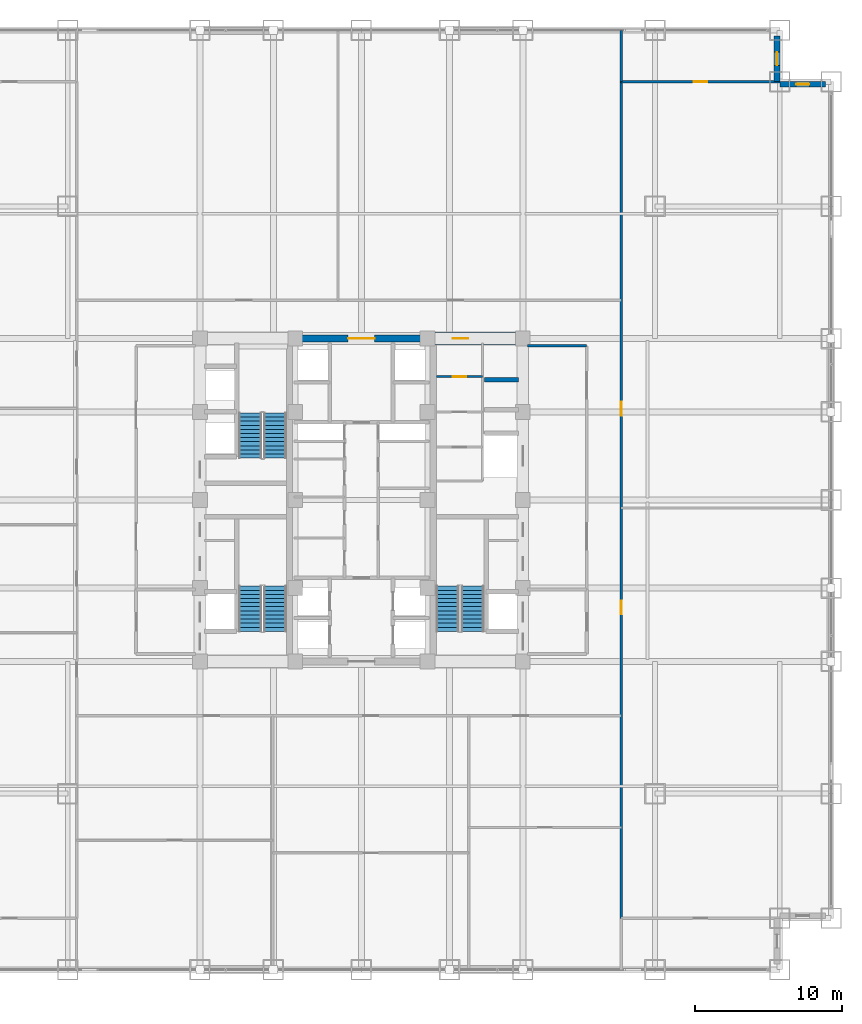
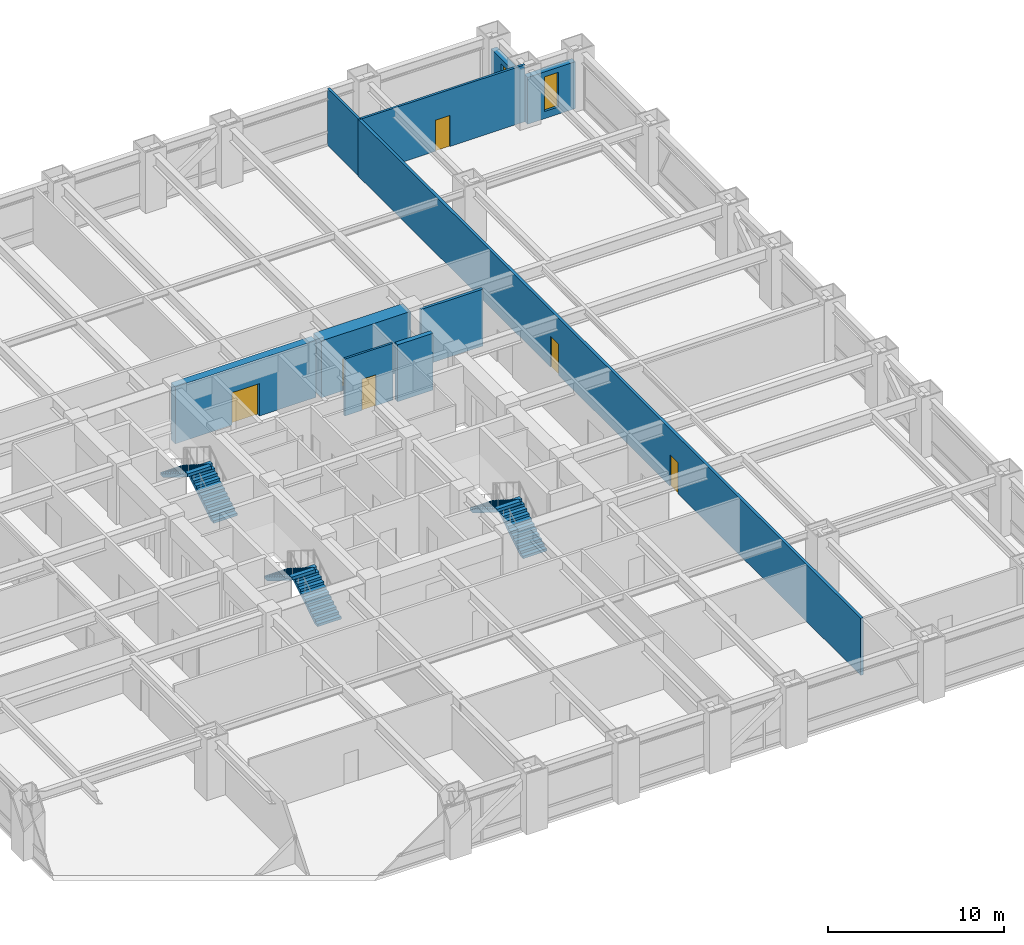
# One storey, part 27 of 28: 10 walls, 6 doors, 6 stair flights, 2 windows, 8 openings, 3 elements without a shape of their own.
"""IFC4 building model written with IfcOpenShell, lengths in metres."""

from ifc_helpers import new_model, si_unit, direction, frame, frame_2d, origin, place, context, subcontext, project, spatial, polyline, rectangle, outline, extrude, source, transform, mapped, material, layer, layer_set, type_object, element, fill, aggregate, save


model = new_model("IFC4")

# Units and contexts
model_context = context("Model", 3, precision=1e-05, world=origin(), true_north=direction((0.0, 1.0)))
body_context = subcontext(model_context, "Body", "Model", "MODEL_VIEW")
ifc_project = project(units=[si_unit("LENGTHUNIT", "METRE"), si_unit("AREAUNIT", "SQUARE_METRE"), si_unit("VOLUMEUNIT", "CUBIC_METRE"), si_unit("PLANEANGLEUNIT", "RADIAN"), si_unit("MASSUNIT", "GRAM", prefix="KILO")], contexts=[model_context])

# Site, building, storey
site_placement = place(None, origin())
site = spatial("IfcSite", under=ifc_project, at=site_placement, CompositionType="ELEMENT")
building_placement = place(site_placement, origin())
building = spatial("IfcBuilding", under=site, at=building_placement, Name="Khorayat Bourse Tower", CompositionType="ELEMENT")
storey_placement = place(building_placement, frame((0.0, 0.0, 62.0)))
storey = spatial("IfcBuildingStorey", under=building, at=storey_placement, Name="L13", CompositionType="ELEMENT", Elevation=62.0)

# Wall, opening, door
ifc_material_1 = material(Name="Concrete C72/90", Category="concrete")
ifc_layer_1 = layer(ifc_material_1, 0.89990234375)
ifc_layer_set_1 = layer_set([ifc_layer_1], Name="Concrete C72/90")
wall_type_1 = type_object("IfcWallType", Name="WAL-CORE-900", PredefinedType="SHEAR", material=ifc_layer_set_1)
shared_shape_1 = source(origin(), body_context, "Body", "SweptSolid", [
    extrude(rectangle(XDim=5.849853515625, YDim=0.89990234375, at=frame_2d((2.9248046875, 0.0))), origin(), (0.0, 0.0, 1.0), 3.93994140625),
])
wall_1_placement = place(storey_placement, frame((4.85009765625, 11.0, 0.0), z_axis=(0.0, 0.0, 1.0), x_axis=(1.0, 0.0, 0.0)))
wall_1 = element("IfcWall", 1, at=wall_1_placement, inside=storey, type_object=wall_type_1, Name="L13 Core Shear Wall PIER-EN", PredefinedType="SHEAR", context=body_context, shape_type="MappedRepresentation", body=[
    mapped(shared_shape_1, transform((0.0, 0.0, 0.0), scale=1.0)),
])
shared_shape_2 = source(origin(), body_context, "Body", "SweptSolid", [
    extrude(rectangle(XDim=1.050048828125, YDim=2.199951171875, at=frame_2d((0.52490234375, 1.10009765625))), frame((0.0, 0.4599609375, 0.0), z_axis=(0.0, -1.0, 0.0), x_axis=(1.0, 0.0, 0.0)), (0.0, 0.0, 1.0), 0.919921875),
])
opening_1_placement = place(wall_1_placement, frame((1.375, 0.0, 0.0)))
opening_1 = element("IfcOpeningElement", 2, at=opening_1_placement, cuts=wall_1, Name="Opening DI-04", PredefinedType="OPENING", context=body_context, shape_type="MappedRepresentation", body=[
    mapped(shared_shape_2, transform((0.0, 0.0, 0.0), scale=1.0)),
])
ifc_material_2 = material(Name="Fire-rated oak veneer suite entrance door")
door_type_1 = type_object("IfcDoorType", Name="DR-INT-SUITE-1050", OperationType="NOTDEFINED", PredefinedType="DOOR", material=ifc_material_2)
shared_shape_3 = source(origin(), body_context, "Body", "SweptSolid", [
    extrude(rectangle(XDim=1.050048828125, YDim=2.199951171875, at=frame_2d((0.52490234375, 1.10009765625))), frame((0.0, 0.02490234375, 0.0), z_axis=(0.0, -1.0, 0.0), x_axis=(1.0, 0.0, 0.0)), (0.0, 0.0, 1.0), 0.050048828125),
])
door_1_placement = place(opening_1_placement, origin())
door_1 = element("IfcDoor", 3, at=door_1_placement, inside=storey, type_object=door_type_1, Name="L13 Core Washroom Lobby Door", OperationType="SINGLE_SWING_LEFT", OverallHeight=2.199951171875, OverallWidth=1.050048828125, PredefinedType="DOOR", context=body_context, shape_type="MappedRepresentation", body=[
    mapped(shared_shape_3, transform((0.0, 0.0, 0.0), scale=1.0)),
])
fill(opening_1, door_1)

ifc_material_3 = material(Name="Concrete C52/65", Category="concrete")
ifc_layer_2 = layer(ifc_material_3, 0.5)
ifc_layer_set_2 = layer_set([ifc_layer_2], Name="Concrete C52/65")
wall_type_2 = type_object("IfcWallType", Name="WAL-CORE-500", PredefinedType="SHEAR", material=ifc_layer_set_2)
shared_shape_4 = source(origin(), body_context, "Body", "SweptSolid", [
    extrude(rectangle(XDim=9.2001953125, YDim=0.5, at=frame_2d((4.60009765625, 0.0))), origin(), (0.0, 0.0, 1.0), 3.93994140625),
])
wall_2_placement = place(storey_placement, frame((-4.60009765625, 11.0, 0.0), z_axis=(0.0, 0.0, 1.0), x_axis=(1.0, 0.0, 0.0)))
wall_2 = element("IfcWall", 4, at=wall_2_placement, inside=storey, type_object=wall_type_2, Name="L13 Core Shear Wall CORE-N", PredefinedType="SHEAR", context=body_context, shape_type="MappedRepresentation", body=[
    mapped(shared_shape_4, transform((0.0, 0.0, 0.0), scale=1.0)),
])
shared_shape_5 = source(origin(), body_context, "Body", "SweptSolid", [
    extrude(rectangle(XDim=1.800048828125, YDim=2.25, at=frame_2d((0.89990234375, 1.125))), frame((0.0, 0.260009765625, 0.0), z_axis=(0.0, -1.0, 0.0), x_axis=(1.0, 0.0, 0.0)), (0.0, 0.0, 1.0), 0.52001953125),
])
opening_2_placement = place(wall_2_placement, frame((3.699951171875, 0.0, 0.0)))
opening_2 = element("IfcOpeningElement", 5, at=opening_2_placement, cuts=wall_2, Name="Opening DI-03", PredefinedType="OPENING", context=body_context, shape_type="MappedRepresentation", body=[
    mapped(shared_shape_5, transform((0.0, 0.0, 0.0), scale=1.0)),
])
ifc_material_4 = material(Name="Fire-rated hardwood vision-panel double leaf", Category="wood")
door_type_2 = type_object("IfcDoorType", Name="DR-INT-CORR-1800", OperationType="NOTDEFINED", PredefinedType="DOOR", material=ifc_material_4)
shared_shape_6 = source(origin(), body_context, "Body", "SweptSolid", [
    extrude(rectangle(XDim=1.800048828125, YDim=2.25, at=frame_2d((0.89990234375, 1.125))), frame((0.0, 0.02490234375, 0.0), z_axis=(0.0, -1.0, 0.0), x_axis=(1.0, 0.0, 0.0)), (0.0, 0.0, 1.0), 0.050048828125),
])
door_2_placement = place(opening_2_placement, origin())
door_2 = element("IfcDoor", 6, at=door_2_placement, inside=storey, type_object=door_type_2, Name="L13 Mid-Rise Lift Lobby Door", OperationType="SINGLE_SWING_RIGHT", OverallHeight=2.25, OverallWidth=1.800048828125, PredefinedType="DOOR", context=body_context, shape_type="MappedRepresentation", body=[
    mapped(shared_shape_6, transform((0.0, 0.0, 0.0), scale=1.0)),
])
fill(opening_2, door_2)

# Wall, opening, window
ifc_material_5 = material(Name="Precast concrete C45/55", Category="concrete")
ifc_layer_3 = layer(ifc_material_5, 0.3798828125)
ifc_layer_set_3 = layer_set([ifc_layer_3], Name="Precast concrete C45/55")
wall_type_3 = type_object("IfcWallType", Name="WAL-EXT-STONE-380", PredefinedType="STANDARD", material=ifc_layer_set_3)
shared_shape_7 = source(origin(), body_context, "Body", "SweptSolid", [
    extrude(rectangle(XDim=3.1201171875, YDim=0.3798828125, at=frame_2d((1.56005859375, 0.0))), origin(), (0.0, 0.0, 1.0), 3.2451171875),
])
wall_3_placement = place(storey_placement, frame((28.5, 28.31005859375, 0.0), z_axis=(0.0, 0.0, 1.0), x_axis=(1.0, 0.0, 0.0)))
wall_3 = element("IfcWall", 7, at=wall_3_placement, inside=storey, type_object=wall_type_3, Name="L13 Re-Entrant Notch Limestone Wall NE-H", PredefinedType="STANDARD", context=body_context, shape_type="MappedRepresentation", body=[
    mapped(shared_shape_7, transform((0.0, 0.0, 0.0), scale=1.0)),
])
shared_shape_8 = source(origin(), body_context, "Body", "SweptSolid", [
    extrude(rectangle(XDim=0.89990234375, YDim=2.39990234375, at=frame_2d((0.449951171875, 1.199951171875))), frame((0.0, 0.199951171875, 0.0), z_axis=(0.0, -1.0, 0.0), x_axis=(1.0, 0.0, 0.0)), (0.0, 0.0, 1.0), 0.39990234375),
])
opening_3_placement = place(wall_3_placement, frame((1.110107421875, 0.0, 0.5)))
opening_3 = element("IfcOpeningElement", 8, at=opening_3_placement, cuts=wall_3, Name="Opening WN-03", PredefinedType="OPENING", context=body_context, shape_type="MappedRepresentation", body=[
    mapped(shared_shape_8, transform((0.0, 0.0, 0.0), scale=1.0)),
])
ifc_material_6 = material(Name="Deep-reveal solar-control double glazing", Category="glass")
window_type = type_object("IfcWindowType", Name="WIN-SLOT-900x2400", PartitioningType="SINGLE_PANEL", PredefinedType="WINDOW", material=ifc_material_6)
shared_shape_9 = source(origin(), body_context, "Body", "SweptSolid", [
    extrude(rectangle(XDim=0.89990234375, YDim=2.39990234375, at=frame_2d((0.449951171875, 1.199951171875))), frame((0.0, 0.030029296875, 0.0), z_axis=(0.0, -1.0, 0.0), x_axis=(1.0, 0.0, 0.0)), (0.0, 0.0, 1.0), 0.06005859375),
])
window_1_placement = place(opening_3_placement, origin())
window_1 = element("IfcWindow", 9, at=window_1_placement, inside=storey, type_object=window_type, Name="L13 Facade Window 1", OverallHeight=2.39990234375, OverallWidth=0.89990234375, PartitioningType="SINGLE_PANEL", PredefinedType="WINDOW", context=body_context, shape_type="MappedRepresentation", body=[
    mapped(shared_shape_9, transform((0.0, 0.0, 0.0), scale=1.0)),
])
fill(opening_3, window_1)

wall_4_placement = place(storey_placement, frame((28.31005859375, 28.5, 0.0), z_axis=(0.0, 0.0, 1.0), x_axis=(0.0, 1.0, 0.0)))
wall_4 = element("IfcWall", 10, at=wall_4_placement, inside=storey, type_object=wall_type_3, Name="L13 Re-Entrant Notch Limestone Wall NE-V", PredefinedType="STANDARD", context=body_context, shape_type="MappedRepresentation", body=[
    mapped(shared_shape_7, transform((0.0, 0.0, 0.0), scale=1.0)),
])
opening_4_placement = place(wall_4_placement, frame((1.110107421875, 0.0, 0.5)))
opening_4 = element("IfcOpeningElement", 11, at=opening_4_placement, cuts=wall_4, Name="Opening WN-03", PredefinedType="OPENING", context=body_context, shape_type="MappedRepresentation", body=[
    mapped(shared_shape_8, transform((0.0, 0.0, 0.0), scale=1.0)),
])
window_2_placement = place(opening_4_placement, origin())
window_2 = element("IfcWindow", 12, at=window_2_placement, inside=storey, type_object=window_type, Name="L13 Facade Window 1", OverallHeight=2.39990234375, OverallWidth=0.89990234375, PartitioningType="SINGLE_PANEL", PredefinedType="WINDOW", context=body_context, shape_type="MappedRepresentation", body=[
    mapped(shared_shape_9, transform((0.0, 0.0, 0.0), scale=1.0)),
])
fill(opening_4, window_2)

# Wall
ifc_material_7 = material(Name="Concrete C50/60", Category="concrete")
ifc_layer_4 = layer(ifc_material_7, 0.300048828125)
ifc_layer_set_4 = layer_set([ifc_layer_4], Name="Concrete C50/60")
wall_type_4 = type_object("IfcWallType", Name="WAL-SHAFT-300", PredefinedType="SHEAR", material=ifc_layer_set_4)
shared_shape_10 = source(origin(), body_context, "Body", "SweptSolid", [
    extrude(rectangle(XDim=2.300048828125, YDim=0.300048828125, at=frame_2d((1.14990234375, 0.0))), origin(), (0.0, 0.0, 1.0), 3.93994140625),
])
wall_5_placement = place(storey_placement, frame((8.39990234375, 8.199951171875, 0.0), z_axis=(0.0, 0.0, 1.0), x_axis=(1.0, 0.0, 0.0)))
element("IfcWall", 13, at=wall_5_placement, inside=storey, type_object=wall_type_4, Name="L13 Partition WAL-L13-EPIER-H34", PredefinedType="SHEAR", context=body_context, shape_type="MappedRepresentation", body=[
    mapped(shared_shape_10, transform((0.0, 0.0, 0.0), scale=1.0)),
])

# Wall, opening, door
ifc_material_8 = material(Name="Moisture-resistant masonry partition", Category="masonry")
ifc_layer_5 = layer(ifc_material_8, 0.139892578125)
ifc_layer_set_5 = layer_set([ifc_layer_5], Name="Moisture-resistant masonry partition")
wall_type_5 = type_object("IfcWallType", Name="WAL-PART-WET-140", PredefinedType="PARTITIONING", material=ifc_layer_set_5)
shared_shape_11 = source(origin(), body_context, "Body", "SweptSolid", [
    extrude(rectangle(XDim=3.14990234375, YDim=0.139892578125, at=frame_2d((1.574951171875, 0.0))), origin(), (0.0, 0.0, 1.0), 3.93994140625),
])
wall_6_placement = place(storey_placement, frame((5.10009765625, 8.39990234375, 0.0), z_axis=(0.0, 0.0, 1.0), x_axis=(1.0, 0.0, 0.0)))
wall_6 = element("IfcWall", 14, at=wall_6_placement, inside=storey, type_object=wall_type_5, Name="L13 Partition WAL-L13-ECW-TOP", PredefinedType="PARTITIONING", context=body_context, shape_type="MappedRepresentation", body=[
    mapped(shared_shape_11, transform((0.0, 0.0, 0.0), scale=1.0)),
])
shared_shape_12 = source(origin(), body_context, "Body", "SweptSolid", [
    extrude(rectangle(XDim=0.89990234375, YDim=2.14990234375, at=frame_2d((0.449951171875, 1.074951171875))), frame((0.0, 0.079833984375, 0.0), z_axis=(0.0, -1.0, 0.0), x_axis=(1.0, 0.0, 0.0)), (0.0, 0.0, 1.0), 0.159912109375),
])
opening_5_placement = place(wall_6_placement, frame((1.1298828125, 0.0, 0.0)))
opening_5 = element("IfcOpeningElement", 15, at=opening_5_placement, cuts=wall_6, Name="Opening DI-06", PredefinedType="OPENING", context=body_context, shape_type="MappedRepresentation", body=[
    mapped(shared_shape_12, transform((0.0, 0.0, 0.0), scale=1.0)),
])
ifc_material_9 = material(Name="Moisture-resistant laminate washroom door")
door_type_3 = type_object("IfcDoorType", Name="DR-INT-WC-900", OperationType="NOTDEFINED", PredefinedType="DOOR", material=ifc_material_9)
shared_shape_13 = source(origin(), body_context, "Body", "SweptSolid", [
    extrude(rectangle(XDim=0.89990234375, YDim=2.14990234375, at=frame_2d((0.449951171875, 1.074951171875))), frame((0.0, 0.02490234375, 0.0), z_axis=(0.0, -1.0, 0.0), x_axis=(1.0, 0.0, 0.0)), (0.0, 0.0, 1.0), 0.050048828125),
])
door_3_placement = place(opening_5_placement, origin())
door_3 = element("IfcDoor", 16, at=door_3_placement, inside=storey, type_object=door_type_3, Name="L13 Accessible WC Door", OperationType="SINGLE_SWING_LEFT", OverallHeight=2.14990234375, OverallWidth=0.89990234375, PredefinedType="DOOR", context=body_context, shape_type="MappedRepresentation", body=[
    mapped(shared_shape_13, transform((0.0, 0.0, 0.0), scale=1.0)),
])
fill(opening_5, door_3)

# Walls
ifc_material_10 = material(Name="Gypsum plasterboard acoustic stud wall")
ifc_layer_6 = layer(ifc_material_10, 0.179931640625)
ifc_layer_set_6 = layer_set([ifc_layer_6], Name="Gypsum plasterboard acoustic stud wall")
wall_type_6 = type_object("IfcWallType", Name="WAL-PART-CORR-180", PredefinedType="PARTITIONING", material=ifc_layer_set_6)
shared_shape_14 = source(origin(), body_context, "Body", "SweptSolid", [
    extrude(rectangle(XDim=4.050048828125, YDim=0.179931640625, at=frame_2d((2.02490234375, 0.0))), origin(), (0.0, 0.0, 1.0), 3.93994140625),
])
wall_7_placement = place(storey_placement, frame((11.300048828125, 10.5, 0.0), z_axis=(0.0, 0.0, 1.0), x_axis=(1.0, 0.0, 0.0)))
element("IfcWall", 17, at=wall_7_placement, inside=storey, type_object=wall_type_6, Name="L13 Partition WAL-L13-ELOB-N", PredefinedType="PARTITIONING", context=body_context, shape_type="MappedRepresentation", body=[
    mapped(shared_shape_14, transform((0.0, 0.0, 0.0), scale=1.0)),
])
ifc_material_11 = material(Name="Gypsum plasterboard twin-frame partition")
ifc_layer_7 = layer(ifc_material_11, 0.14990234375)
ifc_layer_set_7 = layer_set([ifc_layer_7], Name="Gypsum plasterboard twin-frame partition")
wall_type_7 = type_object("IfcWallType", Name="WAL-PART-SUITE-150", PredefinedType="PARTITIONING", material=ifc_layer_set_7)
shared_shape_15 = source(origin(), body_context, "Body", "SweptSolid", [
    extrude(rectangle(XDim=3.5, YDim=0.14990234375, at=frame_2d((1.75, 0.0))), origin(), (0.0, 0.0, 1.0), 3.93994140625),
])
wall_8_placement = place(storey_placement, frame((17.699951171875, 28.5, 0.0), z_axis=(0.0, 0.0, 1.0), x_axis=(0.0, 1.0, 0.0)))
element("IfcWall", 18, at=wall_8_placement, inside=storey, type_object=wall_type_7, Name="L13 Partition WAL-L13-NCE-END", PredefinedType="PARTITIONING", context=body_context, shape_type="MappedRepresentation", body=[
    mapped(shared_shape_15, transform((0.0, 0.0, 0.0), scale=1.0)),
])

# Wall, openings, doors
shared_shape_16 = source(origin(), body_context, "Body", "SweptSolid", [
    extrude(rectangle(XDim=57.0, YDim=0.179931640625, at=frame_2d((28.5, 0.0))), origin(), (0.0, 0.0, 1.0), 3.93994140625),
])
wall_9_placement = place(storey_placement, frame((17.699951171875, -28.5, 0.0), z_axis=(0.0, 0.0, 1.0), x_axis=(0.0, 1.0, 0.0)))
wall_9 = element("IfcWall", 19, at=wall_9_placement, inside=storey, type_object=wall_type_6, Name="L13 Partition WAL-L13-ECORR", PredefinedType="PARTITIONING", context=body_context, shape_type="MappedRepresentation", body=[
    mapped(shared_shape_16, transform((0.0, 0.0, 0.0), scale=1.0)),
])
shared_shape_17 = source(origin(), body_context, "Body", "SweptSolid", [
    extrude(rectangle(XDim=0.949951171875, YDim=2.14990234375, at=frame_2d((0.47509765625, 1.074951171875))), frame((0.0, 0.099853515625, 0.0), z_axis=(0.0, -1.0, 0.0), x_axis=(1.0, 0.0, 0.0)), (0.0, 0.0, 1.0), 0.199951171875),
])
opening_6_placement = place(wall_9_placement, frame((20.699951171875, 0.0, 0.0)))
opening_6 = element("IfcOpeningElement", 20, at=opening_6_placement, cuts=wall_9, Name="Opening DI-05", PredefinedType="OPENING", context=body_context, shape_type="MappedRepresentation", body=[
    mapped(shared_shape_17, transform((0.0, 0.0, 0.0), scale=1.0)),
])
opening_7_placement = place(wall_9_placement, frame((34.25, 0.0, 0.0)))
opening_7 = element("IfcOpeningElement", 21, at=opening_7_placement, cuts=wall_9, Name="Opening DI-05", PredefinedType="OPENING", context=body_context, shape_type="MappedRepresentation", body=[
    mapped(shared_shape_17, transform((0.0, 0.0, 0.0), scale=1.0)),
])
ifc_material_12 = material(Name="Acoustic oak veneer office door")
door_type_4 = type_object("IfcDoorType", Name="DR-INT-OFFICE-950", OperationType="NOTDEFINED", PredefinedType="DOOR", material=ifc_material_12)
shared_shape_18 = source(origin(), body_context, "Body", "SweptSolid", [
    extrude(rectangle(XDim=0.949951171875, YDim=2.14990234375, at=frame_2d((0.47509765625, 1.074951171875))), frame((0.0, 0.02490234375, 0.0), z_axis=(0.0, -1.0, 0.0), x_axis=(1.0, 0.0, 0.0)), (0.0, 0.0, 1.0), 0.050048828125),
])
door_4_placement = place(opening_6_placement, origin())
door_4 = element("IfcDoor", 22, at=door_4_placement, inside=storey, type_object=door_type_4, Name="L13 Members Dining Room E1 Door", OperationType="SINGLE_SWING_RIGHT", OverallHeight=2.14990234375, OverallWidth=0.949951171875, PredefinedType="DOOR", context=body_context, shape_type="MappedRepresentation", body=[
    mapped(shared_shape_18, transform((0.0, 0.0, 0.0), scale=1.0)),
])
fill(opening_6, door_4)
door_5_placement = place(opening_7_placement, origin())
door_5 = element("IfcDoor", 23, at=door_5_placement, inside=storey, type_object=door_type_4, Name="L13 Quantitative Research Study E2 Door", OperationType="SINGLE_SWING_LEFT", OverallHeight=2.14990234375, OverallWidth=0.949951171875, PredefinedType="DOOR", context=body_context, shape_type="MappedRepresentation", body=[
    mapped(shared_shape_18, transform((0.0, 0.0, 0.0), scale=1.0)),
])
fill(opening_7, door_5)

# Wall, opening, door
shared_shape_19 = source(origin(), body_context, "Body", "SweptSolid", [
    extrude(rectangle(XDim=10.800048828125, YDim=0.14990234375, at=frame_2d((5.39990234375, 0.0))), origin(), (0.0, 0.0, 1.0), 3.93994140625),
])
wall_10_placement = place(storey_placement, frame((17.699951171875, 28.5, 0.0), z_axis=(0.0, 0.0, 1.0), x_axis=(1.0, 0.0, 0.0)))
wall_10 = element("IfcWall", 24, at=wall_10_placement, inside=storey, type_object=wall_type_7, Name="L13 Partition WAL-L13-CNE", PredefinedType="PARTITIONING", context=body_context, shape_type="MappedRepresentation", body=[
    mapped(shared_shape_19, transform((0.0, 0.0, 0.0), scale=1.0)),
])
shared_shape_20 = source(origin(), body_context, "Body", "SweptSolid", [
    extrude(rectangle(XDim=0.949951171875, YDim=2.14990234375, at=frame_2d((0.47509765625, 1.074951171875))), frame((0.0, 0.0849609375, 0.0), z_axis=(0.0, -1.0, 0.0), x_axis=(1.0, 0.0, 0.0)), (0.0, 0.0, 1.0), 0.169921875),
])
opening_8_placement = place(wall_10_placement, frame((4.925048828125, 0.0, 0.0)))
opening_8 = element("IfcOpeningElement", 25, at=opening_8_placement, cuts=wall_10, Name="Opening DI-05", PredefinedType="OPENING", context=body_context, shape_type="MappedRepresentation", body=[
    mapped(shared_shape_20, transform((0.0, 0.0, 0.0), scale=1.0)),
])
door_6_placement = place(opening_8_placement, origin())
door_6 = element("IfcDoor", 26, at=door_6_placement, inside=storey, type_object=door_type_4, Name="L13 North-East Corner Lounge Door", OperationType="SINGLE_SWING_LEFT", OverallHeight=2.14990234375, OverallWidth=0.949951171875, PredefinedType="DOOR", context=body_context, shape_type="MappedRepresentation", body=[
    mapped(shared_shape_18, transform((0.0, 0.0, 0.0), scale=1.0)),
])
fill(opening_8, door_6)

# Stair, stair flights
ifc_material_13 = material(Name="Concrete C40/50", Category="concrete")
stair_type = type_object("IfcStairType", Name="STR-CORE-1550", PredefinedType="HALF_TURN_STAIR", material=ifc_material_13)
stair_1_placement = place(storey_placement, origin())
stair_1 = element("IfcStair", 27, at=stair_1_placement, inside=storey, type_object=stair_type, Name="L13 Exit Stair ST-1", PredefinedType="HALF_TURN_STAIR")
stair_flight_type = type_object("IfcStairFlightType", Name="FLT-CORE-1550", PredefinedType="STRAIGHT", material=ifc_material_13)
shared_shape_21 = source(origin(), body_context, "Body", "SweptSolid", [
    extrude(outline(polyline([(0.0, 0.0), (0.0, 0.175048828125), (0.280029296875, 0.175048828125), (0.280029296875, 0.35009765625), (0.56005859375, 0.35009765625), (0.56005859375, 0.52490234375), (0.840087890625, 0.52490234375), (0.840087890625, 0.699951171875), (1.1201171875, 0.699951171875), (1.1201171875, 0.875), (1.39990234375, 0.875), (1.39990234375, 1.050048828125), (1.679931640625, 1.050048828125), (1.679931640625, 1.22509765625), (1.9599609375, 1.22509765625), (1.9599609375, 1.39990234375), (2.239990234375, 1.39990234375), (2.239990234375, 1.574951171875), (2.52001953125, 1.574951171875), (2.52001953125, 1.75), (2.800048828125, 1.75), (2.800048828125, 1.925048828125), (3.080078125, 1.925048828125), (3.080078125, 2.10009765625), (3.080078125, 1.712890625), (0.339599609375, 0.0), (0.0, 0.0)])), frame((0.0, 0.77490234375, 0.0), z_axis=(0.0, -1.0, 0.0), x_axis=(1.0, 0.0, 0.0)), (0.0, 0.0, 1.0), 1.550048828125),
])
stair_flight_1_placement = place(storey_placement, frame((-5.875, -8.949951171875, 0.0), z_axis=(0.0, 0.0, 1.0), x_axis=(0.0, 1.0, 0.0)))
stair_flight_1 = element("IfcStairFlight", 28, at=stair_flight_1_placement, type_object=stair_flight_type, Name="ST-1 flight 1", NumberOfRisers=12, NumberOfTreads=11, PredefinedType="STRAIGHT", RiserHeight=0.175, TreadLength=0.28, context=body_context, shape_type="MappedRepresentation", body=[
    mapped(shared_shape_21, transform((0.0, 0.0, 0.0), scale=1.0)),
])
stair_flight_2_placement = place(storey_placement, frame((-7.574951171875, -5.8701171875, 2.10009765625), z_axis=(0.0, 0.0, 1.0), x_axis=(0.0, -1.0, 0.0)))
stair_flight_2 = element("IfcStairFlight", 29, at=stair_flight_2_placement, type_object=stair_flight_type, Name="ST-1 flight 2", NumberOfRisers=12, NumberOfTreads=11, PredefinedType="STRAIGHT", RiserHeight=0.175, TreadLength=0.28, context=body_context, shape_type="MappedRepresentation", body=[
    mapped(shared_shape_21, transform((0.0, 0.0, 0.0), scale=1.0)),
])
aggregate(stair_1, [stair_flight_1, stair_flight_2])

stair_2_placement = place(storey_placement, origin())
stair_2 = element("IfcStair", 30, at=stair_2_placement, inside=storey, type_object=stair_type, Name="L13 Exit Stair ST-2", PredefinedType="HALF_TURN_STAIR")
stair_flight_3_placement = place(storey_placement, frame((-5.875, 2.85009765625, 0.0), z_axis=(0.0, 0.0, 1.0), x_axis=(0.0, 1.0, 0.0)))
stair_flight_3 = element("IfcStairFlight", 31, at=stair_flight_3_placement, type_object=stair_flight_type, Name="ST-2 flight 1", NumberOfRisers=12, NumberOfTreads=11, PredefinedType="STRAIGHT", RiserHeight=0.175, TreadLength=0.28, context=body_context, shape_type="MappedRepresentation", body=[
    mapped(shared_shape_21, transform((0.0, 0.0, 0.0), scale=1.0)),
])
stair_flight_4_placement = place(storey_placement, frame((-7.574951171875, 5.929931640625, 2.10009765625), z_axis=(0.0, 0.0, 1.0), x_axis=(0.0, -1.0, 0.0)))
stair_flight_4 = element("IfcStairFlight", 32, at=stair_flight_4_placement, type_object=stair_flight_type, Name="ST-2 flight 2", NumberOfRisers=12, NumberOfTreads=11, PredefinedType="STRAIGHT", RiserHeight=0.175, TreadLength=0.28, context=body_context, shape_type="MappedRepresentation", body=[
    mapped(shared_shape_21, transform((0.0, 0.0, 0.0), scale=1.0)),
])
aggregate(stair_2, [stair_flight_3, stair_flight_4])

stair_3_placement = place(storey_placement, origin())
stair_3 = element("IfcStair", 33, at=stair_3_placement, inside=storey, type_object=stair_type, Name="L13 Exit Stair ST-3", PredefinedType="HALF_TURN_STAIR")
stair_flight_5_placement = place(storey_placement, frame((7.574951171875, -8.949951171875, 0.0), z_axis=(0.0, 0.0, 1.0), x_axis=(0.0, 1.0, 0.0)))
stair_flight_5 = element("IfcStairFlight", 34, at=stair_flight_5_placement, type_object=stair_flight_type, Name="ST-3 flight 1", NumberOfRisers=12, NumberOfTreads=11, PredefinedType="STRAIGHT", RiserHeight=0.175, TreadLength=0.28, context=body_context, shape_type="MappedRepresentation", body=[
    mapped(shared_shape_21, transform((0.0, 0.0, 0.0), scale=1.0)),
])
stair_flight_6_placement = place(storey_placement, frame((5.875, -5.8701171875, 2.10009765625), z_axis=(0.0, 0.0, 1.0), x_axis=(0.0, -1.0, 0.0)))
stair_flight_6 = element("IfcStairFlight", 35, at=stair_flight_6_placement, type_object=stair_flight_type, Name="ST-3 flight 2", NumberOfRisers=12, NumberOfTreads=11, PredefinedType="STRAIGHT", RiserHeight=0.175, TreadLength=0.28, context=body_context, shape_type="MappedRepresentation", body=[
    mapped(shared_shape_21, transform((0.0, 0.0, 0.0), scale=1.0)),
])
aggregate(stair_3, [stair_flight_5, stair_flight_6])

save(model, "model.ifc")
